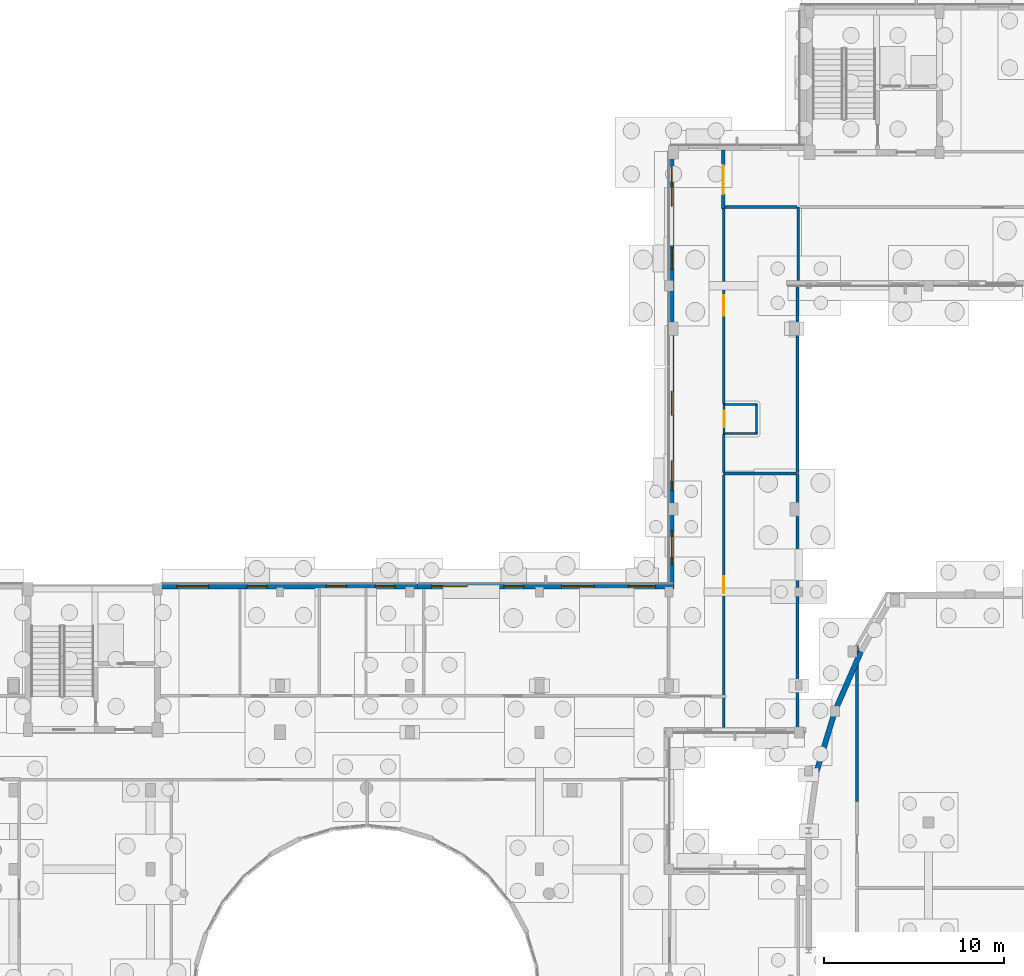
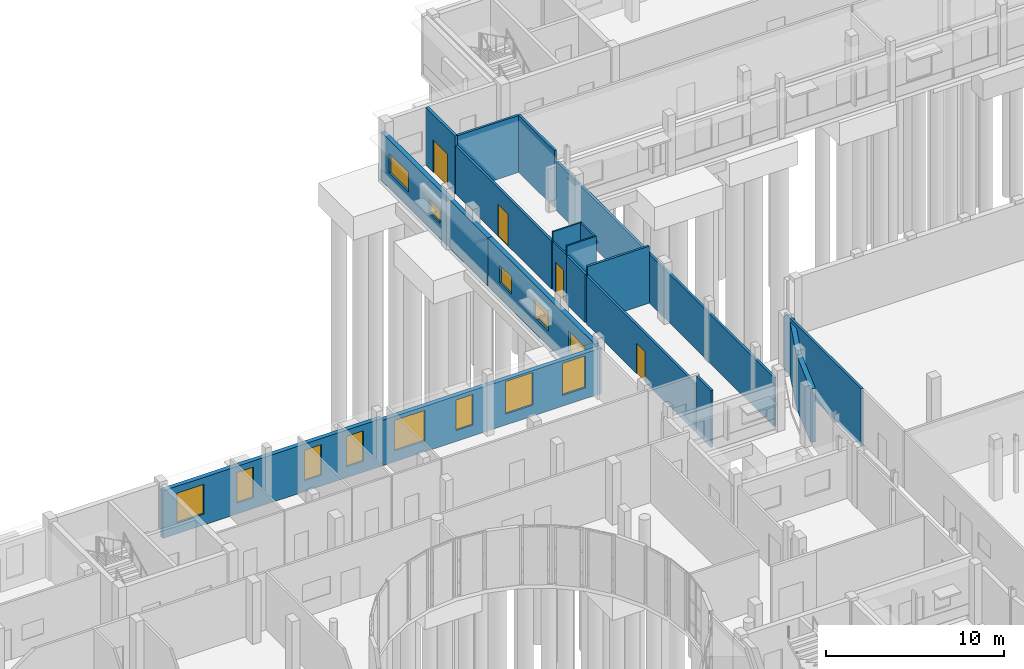
# One storey, part 74 of 93: 21 walls, 13 windows, 4 doors, 17 openings.
"""IFC4 building model written with IfcOpenShell, lengths in metres."""

from ifc_helpers import new_model, si_unit, direction, frame, frame_2d, origin, place, context, subcontext, project, spatial, rectangle, extrude, material, layer, layer_set, type_object, element, fill, save


model = new_model("IFC4")

# Units and contexts
model_context = context("Model", 3, precision=1e-05, world=origin(), true_north=direction((0.0, 1.0)))
body_context = subcontext(model_context, "Body", "Model", "MODEL_VIEW")
ifc_project = project(units=[si_unit("LENGTHUNIT", "METRE"), si_unit("AREAUNIT", "SQUARE_METRE"), si_unit("VOLUMEUNIT", "CUBIC_METRE"), si_unit("PLANEANGLEUNIT", "RADIAN"), si_unit("MASSUNIT", "GRAM", prefix="KILO")], contexts=[model_context])

# Site, building, storey
site_placement = place(None, origin())
site = spatial("IfcSite", under=ifc_project, at=site_placement, CompositionType="ELEMENT")
building_placement = place(site_placement, origin())
building = spatial("IfcBuilding", under=site, at=building_placement, Name="Kelanivale Promenade Academy", CompositionType="ELEMENT")
storey_placement = place(building_placement, origin())
storey = spatial("IfcBuildingStorey", under=building, at=storey_placement, Name="L00", CompositionType="ELEMENT", Elevation=0.0)

# Walls
ifc_material_1 = material(Name="Insulated terracotta-clad masonry wall 300 mm", Category="masonry")
ifc_layer_1 = layer(ifc_material_1, 0.300048828125)
ifc_layer_set_1 = layer_set([ifc_layer_1], Name="Insulated terracotta-clad masonry wall 300 mm")
wall_type_1 = type_object("IfcWallType", Name="EW-01 Wall 300mm", PredefinedType="SOLIDWALL", material=ifc_layer_set_1)
wall_1_placement = place(storey_placement, frame((124.800048828125, 72.77099609375, 0.0), z_axis=(0.0, 0.0, 1.0), x_axis=(-0.288887509039, -0.957363048755, 0.0)))
element("IfcWall", 1, at=wall_1_placement, inside=storey, type_object=wall_type_1, Name="Assembly Hall Arc Pavilion inner crescent wall L00", PredefinedType="SOLIDWALL", context=body_context, shape_type="SweptSolid", body=[
    extrude(rectangle(XDim=3.461669921875, YDim=0.300048828125, at=frame_2d((1.73095703125, 0.0))), origin(), (0.0, 0.0, 1.0), 3.679931640625),
])
wall_2_placement = place(storey_placement, frame((126.25, 76.0859375, 0.0), z_axis=(0.0, 0.0, 1.0), x_axis=(-0.400740958437, -0.916191401526, 0.0)))
element("IfcWall", 2, at=wall_2_placement, inside=storey, type_object=wall_type_1, Name="Assembly Hall Arc Pavilion inner crescent wall L00", PredefinedType="SOLIDWALL", context=body_context, shape_type="SweptSolid", body=[
    extrude(rectangle(XDim=3.6181640625, YDim=0.300048828125, at=frame_2d((1.80908203125, 0.0))), origin(), (0.0, 0.0, 1.0), 3.679931640625),
])

# Wall, openings, windows
ifc_material_2 = material(Name="Insulated ivory stucco masonry wall 280 mm", Category="masonry")
ifc_layer_2 = layer(ifc_material_2, 0.280029296875)
ifc_layer_set_2 = layer_set([ifc_layer_2], Name="Insulated ivory stucco masonry wall 280 mm")
wall_type_2 = type_object("IfcWallType", Name="EW-02 Wall 280mm", PredefinedType="SOLIDWALL", material=ifc_layer_set_2)
wall_3_placement = place(storey_placement, frame((115.739990234375, 103.919921875, 0.0), z_axis=(0.0, 0.0, 1.0), x_axis=(0.0, -1.0, 0.0)))
wall_3 = element("IfcWall", 3, at=wall_3_placement, inside=storey, type_object=wall_type_2, Name="L00 exterior facade wall EW-L00-ORT-0307", PredefinedType="SOLIDWALL", context=body_context, shape_type="SweptSolid", body=[
    extrude(rectangle(XDim=12.034912109375, YDim=0.280029296875, at=frame_2d((6.017578125, 0.0))), origin(), (0.0, 0.0, 1.0), 3.31494140625),
])
opening_1_placement = place(wall_3_placement, frame((0.906005859375, 0.0, 1.050048828125)))
opening_1 = element("IfcOpeningElement", 4, at=opening_1_placement, cuts=wall_3, Name="Opening WT-08", PredefinedType="OPENING", context=body_context, shape_type="SweptSolid", body=[
    extrude(rectangle(XDim=2.199951171875, YDim=1.35009765625, at=frame_2d((1.10009765625, 0.675048828125))), frame((0.0, 0.14990234375, 0.0), z_axis=(0.0, -1.0, 0.0), x_axis=(1.0, 0.0, 0.0)), (0.0, 0.0, 1.0), 0.300048828125),
])
opening_2_placement = place(wall_3_placement, frame((5.4169921875, 0.0, 1.050048828125)))
opening_2 = element("IfcOpeningElement", 5, at=opening_2_placement, cuts=wall_3, Name="Opening WT-09", PredefinedType="OPENING", context=body_context, shape_type="SweptSolid", body=[
    extrude(rectangle(XDim=1.199951171875, YDim=0.89990234375, at=frame_2d((0.60009765625, 0.449951171875))), frame((0.0, 0.14990234375, 0.0), z_axis=(0.0, -1.0, 0.0), x_axis=(1.0, 0.0, 0.0)), (0.0, 0.0, 1.0), 0.300048828125),
])
ifc_material_3 = material(Name="Bronze anodised aluminium frame with low-E laminated glass", Category="aluminium")
window_type_1 = type_object("IfcWindowType", Name="WT-08 Window 2200x1350", PartitioningType="SINGLE_PANEL", PredefinedType="WINDOW", material=ifc_material_3)
window_1_placement = place(opening_1_placement, origin())
window_1 = element("IfcWindow", 6, at=window_1_placement, inside=storey, type_object=window_type_1, Name="Window WT-08", OverallHeight=1.35009765625, OverallWidth=2.199951171875, PartitioningType="SINGLE_PANEL", PredefinedType="WINDOW", context=body_context, shape_type="SweptSolid", body=[
    extrude(rectangle(XDim=2.199951171875, YDim=1.35009765625, at=frame_2d((1.10009765625, 0.675048828125))), frame((0.0, 0.030029296875, 0.0), z_axis=(0.0, -1.0, 0.0), x_axis=(1.0, 0.0, 0.0)), (0.0, 0.0, 1.0), 0.06005859375),
])
fill(opening_1, window_1)
window_type_2 = type_object("IfcWindowType", Name="WT-09 Window 1200x900", PartitioningType="SINGLE_PANEL", PredefinedType="WINDOW", material=ifc_material_3)
window_2_placement = place(opening_2_placement, origin())
window_2 = element("IfcWindow", 7, at=window_2_placement, inside=storey, type_object=window_type_2, Name="Window WT-09", OverallHeight=0.89990234375, OverallWidth=1.199951171875, PartitioningType="SINGLE_PANEL", PredefinedType="WINDOW", context=body_context, shape_type="SweptSolid", body=[
    extrude(rectangle(XDim=1.199951171875, YDim=0.89990234375, at=frame_2d((0.60009765625, 0.449951171875))), frame((0.0, 0.030029296875, 0.0), z_axis=(0.0, -1.0, 0.0), x_axis=(1.0, 0.0, 0.0)), (0.0, 0.0, 1.0), 0.06005859375),
])
fill(opening_2, window_2)

wall_4_placement = place(storey_placement, frame((115.739990234375, 91.885009765625, 0.0), z_axis=(0.0, 0.0, 1.0), x_axis=(0.0, -1.0, 0.0)))
wall_4 = element("IfcWall", 8, at=wall_4_placement, inside=storey, type_object=wall_type_2, Name="L00 exterior facade wall EW-L00-ORT-0308", PredefinedType="SOLIDWALL", context=body_context, shape_type="SweptSolid", body=[
    extrude(rectangle(XDim=12.034912109375, YDim=0.280029296875, at=frame_2d((6.017578125, 0.0))), origin(), (0.0, 0.0, 1.0), 3.31494140625),
])
opening_3_placement = place(wall_4_placement, frame((1.3310546875, 0.0, 1.050048828125)))
opening_3 = element("IfcOpeningElement", 9, at=opening_3_placement, cuts=wall_4, Name="Opening WT-34", PredefinedType="OPENING", context=body_context, shape_type="SweptSolid", body=[
    extrude(rectangle(XDim=1.35009765625, YDim=1.199951171875, at=frame_2d((0.675048828125, 0.60009765625))), frame((0.0, 0.14990234375, 0.0), z_axis=(0.0, -1.0, 0.0), x_axis=(1.0, 0.0, 0.0)), (0.0, 0.0, 1.0), 0.300048828125),
])
opening_4_placement = place(wall_4_placement, frame((5.193115234375, 0.0, 1.050048828125)))
opening_4 = element("IfcOpeningElement", 10, at=opening_4_placement, cuts=wall_4, Name="Opening WT-35", PredefinedType="OPENING", context=body_context, shape_type="SweptSolid", body=[
    extrude(rectangle(XDim=1.64990234375, YDim=1.25, at=frame_2d((0.824951171875, 0.625))), frame((0.0, 0.14990234375, 0.0), z_axis=(0.0, -1.0, 0.0), x_axis=(1.0, 0.0, 0.0)), (0.0, 0.0, 1.0), 0.300048828125),
])
opening_5_placement = place(wall_4_placement, frame((9.10400390625, 0.0, 1.050048828125)))
opening_5 = element("IfcOpeningElement", 11, at=opening_5_placement, cuts=wall_4, Name="Opening WT-36", PredefinedType="OPENING", context=body_context, shape_type="SweptSolid", body=[
    extrude(rectangle(XDim=1.85009765625, YDim=1.39990234375, at=frame_2d((0.925048828125, 0.699951171875))), frame((0.0, 0.14990234375, 0.0), z_axis=(0.0, -1.0, 0.0), x_axis=(1.0, 0.0, 0.0)), (0.0, 0.0, 1.0), 0.300048828125),
])
window_type_3 = type_object("IfcWindowType", Name="WT-34 Window 1350x1200", PartitioningType="SINGLE_PANEL", PredefinedType="WINDOW", material=ifc_material_3)
window_3_placement = place(opening_3_placement, origin())
window_3 = element("IfcWindow", 12, at=window_3_placement, inside=storey, type_object=window_type_3, Name="Window WT-34", OverallHeight=1.199951171875, OverallWidth=1.35009765625, PartitioningType="SINGLE_PANEL", PredefinedType="WINDOW", context=body_context, shape_type="SweptSolid", body=[
    extrude(rectangle(XDim=1.35009765625, YDim=1.199951171875, at=frame_2d((0.675048828125, 0.60009765625))), frame((0.0, 0.030029296875, 0.0), z_axis=(0.0, -1.0, 0.0), x_axis=(1.0, 0.0, 0.0)), (0.0, 0.0, 1.0), 0.06005859375),
])
fill(opening_3, window_3)
window_type_4 = type_object("IfcWindowType", Name="WT-35 Window 1650x1250", PartitioningType="SINGLE_PANEL", PredefinedType="WINDOW", material=ifc_material_3)
window_4_placement = place(opening_4_placement, origin())
window_4 = element("IfcWindow", 13, at=window_4_placement, inside=storey, type_object=window_type_4, Name="Window WT-35", OverallHeight=1.25, OverallWidth=1.64990234375, PartitioningType="SINGLE_PANEL", PredefinedType="WINDOW", context=body_context, shape_type="SweptSolid", body=[
    extrude(rectangle(XDim=1.64990234375, YDim=1.25, at=frame_2d((0.824951171875, 0.625))), frame((0.0, 0.030029296875, 0.0), z_axis=(0.0, -1.0, 0.0), x_axis=(1.0, 0.0, 0.0)), (0.0, 0.0, 1.0), 0.06005859375),
])
fill(opening_4, window_4)
window_type_5 = type_object("IfcWindowType", Name="WT-36 Window 1850x1400", PartitioningType="SINGLE_PANEL", PredefinedType="WINDOW", material=ifc_material_3)
window_5_placement = place(opening_5_placement, origin())
window_5 = element("IfcWindow", 14, at=window_5_placement, inside=storey, type_object=window_type_5, Name="Window WT-36", OverallHeight=1.39990234375, OverallWidth=1.85009765625, PartitioningType="SINGLE_PANEL", PredefinedType="WINDOW", context=body_context, shape_type="SweptSolid", body=[
    extrude(rectangle(XDim=1.85009765625, YDim=1.39990234375, at=frame_2d((0.925048828125, 0.699951171875))), frame((0.0, 0.030029296875, 0.0), z_axis=(0.0, -1.0, 0.0), x_axis=(1.0, 0.0, 0.0)), (0.0, 0.0, 1.0), 0.06005859375),
])
fill(opening_5, window_5)

wall_5_placement = place(storey_placement, frame((115.8798828125, 79.7099609375, 0.0), z_axis=(0.0, 0.0, 1.0), x_axis=(-1.0, 0.0, 0.0)))
wall_5 = element("IfcWall", 15, at=wall_5_placement, inside=storey, type_object=wall_type_2, Name="L00 exterior facade wall EW-L00-ORT-0309", PredefinedType="SOLIDWALL", context=body_context, shape_type="SweptSolid", body=[
    extrude(rectangle(XDim=14.2568359375, YDim=0.280029296875, at=frame_2d((7.12841796875, 0.0))), origin(), (0.0, 0.0, 1.0), 3.125),
])
opening_6_placement = place(wall_5_placement, frame((1.031982421875, 0.0, 0.75)))
opening_6 = element("IfcOpeningElement", 16, at=opening_6_placement, cuts=wall_5, Name="Opening WT-11", PredefinedType="OPENING", context=body_context, shape_type="SweptSolid", body=[
    extrude(rectangle(XDim=1.5, YDim=2.199951171875, at=frame_2d((0.75, 1.10009765625))), frame((0.0, 0.14990234375, 0.0), z_axis=(0.0, -1.0, 0.0), x_axis=(1.0, 0.0, 0.0)), (0.0, 0.0, 1.0), 0.300048828125),
])
opening_7_placement = place(wall_5_placement, frame((4.446044921875, 0.0, 0.75)))
opening_7 = element("IfcOpeningElement", 17, at=opening_7_placement, cuts=wall_5, Name="Opening WT-12", PredefinedType="OPENING", context=body_context, shape_type="SweptSolid", body=[
    extrude(rectangle(XDim=1.800048828125, YDim=2.25, at=frame_2d((0.89990234375, 1.125))), frame((0.0, 0.14990234375, 0.0), z_axis=(0.0, -1.0, 0.0), x_axis=(1.0, 0.0, 0.0)), (0.0, 0.0, 1.0), 0.300048828125),
])
opening_8_placement = place(wall_5_placement, frame((8.361083984375, 0.0, 0.75)))
opening_8 = element("IfcOpeningElement", 18, at=opening_8_placement, cuts=wall_5, Name="Opening WT-17", PredefinedType="OPENING", context=body_context, shape_type="SweptSolid", body=[
    extrude(rectangle(XDim=1.10009765625, YDim=2.10009765625, at=frame_2d((0.550048828125, 1.050048828125))), frame((0.0, 0.14990234375, 0.0), z_axis=(0.0, -1.0, 0.0), x_axis=(1.0, 0.0, 0.0)), (0.0, 0.0, 1.0), 0.300048828125),
])
opening_9_placement = place(wall_5_placement, frame((11.47509765625, 0.0, 0.75)))
opening_9 = element("IfcOpeningElement", 19, at=opening_9_placement, cuts=wall_5, Name="Opening WT-14", PredefinedType="OPENING", context=body_context, shape_type="SweptSolid", body=[
    extrude(rectangle(XDim=2.0, YDim=2.10009765625, at=frame_2d((1.0, 1.050048828125))), frame((0.0, 0.14990234375, 0.0), z_axis=(0.0, -1.0, 0.0), x_axis=(1.0, 0.0, 0.0)), (0.0, 0.0, 1.0), 0.300048828125),
])
window_type_6 = type_object("IfcWindowType", Name="WT-11 Window 1500x2200", PartitioningType="SINGLE_PANEL", PredefinedType="WINDOW", material=ifc_material_3)
window_6_placement = place(opening_6_placement, origin())
window_6 = element("IfcWindow", 20, at=window_6_placement, inside=storey, type_object=window_type_6, Name="Window WT-11", OverallHeight=2.199951171875, OverallWidth=1.5, PartitioningType="SINGLE_PANEL", PredefinedType="WINDOW", context=body_context, shape_type="SweptSolid", body=[
    extrude(rectangle(XDim=1.5, YDim=2.199951171875, at=frame_2d((0.75, 1.10009765625))), frame((0.0, 0.030029296875, 0.0), z_axis=(0.0, -1.0, 0.0), x_axis=(1.0, 0.0, 0.0)), (0.0, 0.0, 1.0), 0.06005859375),
])
fill(opening_6, window_6)
window_type_7 = type_object("IfcWindowType", Name="WT-12 Window 1800x2250", PartitioningType="SINGLE_PANEL", PredefinedType="WINDOW", material=ifc_material_3)
window_7_placement = place(opening_7_placement, origin())
window_7 = element("IfcWindow", 21, at=window_7_placement, inside=storey, type_object=window_type_7, Name="Window WT-12", OverallHeight=2.25, OverallWidth=1.800048828125, PartitioningType="SINGLE_PANEL", PredefinedType="WINDOW", context=body_context, shape_type="SweptSolid", body=[
    extrude(rectangle(XDim=1.800048828125, YDim=2.25, at=frame_2d((0.89990234375, 1.125))), frame((0.0, 0.030029296875, 0.0), z_axis=(0.0, -1.0, 0.0), x_axis=(1.0, 0.0, 0.0)), (0.0, 0.0, 1.0), 0.06005859375),
])
fill(opening_7, window_7)
window_type_8 = type_object("IfcWindowType", Name="WT-14 Window 2000x2100", PartitioningType="SINGLE_PANEL", PredefinedType="WINDOW", material=ifc_material_3)
window_8_placement = place(opening_9_placement, origin())
window_8 = element("IfcWindow", 22, at=window_8_placement, inside=storey, type_object=window_type_8, Name="Window WT-14", OverallHeight=2.10009765625, OverallWidth=2.0, PartitioningType="SINGLE_PANEL", PredefinedType="WINDOW", context=body_context, shape_type="SweptSolid", body=[
    extrude(rectangle(XDim=2.0, YDim=2.10009765625, at=frame_2d((1.0, 1.050048828125))), frame((0.0, 0.030029296875, 0.0), z_axis=(0.0, -1.0, 0.0), x_axis=(1.0, 0.0, 0.0)), (0.0, 0.0, 1.0), 0.06005859375),
])
fill(opening_9, window_8)
window_type_9 = type_object("IfcWindowType", Name="WT-17 Window 1100x2100", PartitioningType="SINGLE_PANEL", PredefinedType="WINDOW", material=ifc_material_3)
window_9_placement = place(opening_8_placement, origin())
window_9 = element("IfcWindow", 23, at=window_9_placement, inside=storey, type_object=window_type_9, Name="Window WT-17", OverallHeight=2.10009765625, OverallWidth=1.10009765625, PartitioningType="SINGLE_PANEL", PredefinedType="WINDOW", context=body_context, shape_type="SweptSolid", body=[
    extrude(rectangle(XDim=1.10009765625, YDim=2.10009765625, at=frame_2d((0.550048828125, 1.050048828125))), frame((0.0, 0.030029296875, 0.0), z_axis=(0.0, -1.0, 0.0), x_axis=(1.0, 0.0, 0.0)), (0.0, 0.0, 1.0), 0.06005859375),
])
fill(opening_8, window_9)

wall_6_placement = place(storey_placement, frame((101.623046875, 79.7099609375, 0.0), z_axis=(0.0, 0.0, 1.0), x_axis=(-1.0, 0.0, 0.0)))
wall_6 = element("IfcWall", 24, at=wall_6_placement, inside=storey, type_object=wall_type_2, Name="L00 exterior facade wall EW-L00-ORT-0310", PredefinedType="SOLIDWALL", context=body_context, shape_type="SweptSolid", body=[
    extrude(rectangle(XDim=14.258056640625, YDim=0.280029296875, at=frame_2d((7.12890625, 0.0))), origin(), (0.0, 0.0, 1.0), 3.27490234375),
])
opening_10_placement = place(wall_6_placement, frame((1.23193359375, 0.0, 0.75)))
opening_10 = element("IfcOpeningElement", 25, at=opening_10_placement, cuts=wall_6, Name="Opening WT-17", PredefinedType="OPENING", context=body_context, shape_type="SweptSolid", body=[
    extrude(rectangle(XDim=1.10009765625, YDim=2.10009765625, at=frame_2d((0.550048828125, 1.050048828125))), frame((0.0, 0.14990234375, 0.0), z_axis=(0.0, -1.0, 0.0), x_axis=(1.0, 0.0, 0.0)), (0.0, 0.0, 1.0), 0.300048828125),
])
opening_11_placement = place(wall_6_placement, frame((3.947021484375, 0.0, 0.75)))
opening_11 = element("IfcOpeningElement", 26, at=opening_11_placement, cuts=wall_6, Name="Opening WT-17", PredefinedType="OPENING", context=body_context, shape_type="SweptSolid", body=[
    extrude(rectangle(XDim=1.10009765625, YDim=2.10009765625, at=frame_2d((0.550048828125, 1.050048828125))), frame((0.0, 0.14990234375, 0.0), z_axis=(0.0, -1.0, 0.0), x_axis=(1.0, 0.0, 0.0)), (0.0, 0.0, 1.0), 0.300048828125),
])
opening_12_placement = place(wall_6_placement, frame((8.361083984375, 0.0, 0.75)))
opening_12 = element("IfcOpeningElement", 27, at=opening_12_placement, cuts=wall_6, Name="Opening WT-17", PredefinedType="OPENING", context=body_context, shape_type="SweptSolid", body=[
    extrude(rectangle(XDim=1.10009765625, YDim=2.10009765625, at=frame_2d((0.550048828125, 1.050048828125))), frame((0.0, 0.14990234375, 0.0), z_axis=(0.0, -1.0, 0.0), x_axis=(1.0, 0.0, 0.0)), (0.0, 0.0, 1.0), 0.300048828125),
])
opening_13_placement = place(wall_6_placement, frame((11.60107421875, 0.0, 0.75)))
opening_13 = element("IfcOpeningElement", 28, at=opening_13_placement, cuts=wall_6, Name="Opening WT-32", PredefinedType="OPENING", context=body_context, shape_type="SweptSolid", body=[
    extrude(rectangle(XDim=1.75, YDim=2.050048828125, at=frame_2d((0.875, 1.02490234375))), frame((0.0, 0.14990234375, 0.0), z_axis=(0.0, -1.0, 0.0), x_axis=(1.0, 0.0, 0.0)), (0.0, 0.0, 1.0), 0.300048828125),
])
window_10_placement = place(opening_10_placement, origin())
window_10 = element("IfcWindow", 29, at=window_10_placement, inside=storey, type_object=window_type_9, Name="Window WT-17", OverallHeight=2.10009765625, OverallWidth=1.10009765625, PartitioningType="SINGLE_PANEL", PredefinedType="WINDOW", context=body_context, shape_type="SweptSolid", body=[
    extrude(rectangle(XDim=1.10009765625, YDim=2.10009765625, at=frame_2d((0.550048828125, 1.050048828125))), frame((0.0, 0.030029296875, 0.0), z_axis=(0.0, -1.0, 0.0), x_axis=(1.0, 0.0, 0.0)), (0.0, 0.0, 1.0), 0.06005859375),
])
fill(opening_10, window_10)
window_11_placement = place(opening_11_placement, origin())
window_11 = element("IfcWindow", 30, at=window_11_placement, inside=storey, type_object=window_type_9, Name="Window WT-17", OverallHeight=2.10009765625, OverallWidth=1.10009765625, PartitioningType="SINGLE_PANEL", PredefinedType="WINDOW", context=body_context, shape_type="SweptSolid", body=[
    extrude(rectangle(XDim=1.10009765625, YDim=2.10009765625, at=frame_2d((0.550048828125, 1.050048828125))), frame((0.0, 0.030029296875, 0.0), z_axis=(0.0, -1.0, 0.0), x_axis=(1.0, 0.0, 0.0)), (0.0, 0.0, 1.0), 0.06005859375),
])
fill(opening_11, window_11)
window_12_placement = place(opening_12_placement, origin())
window_12 = element("IfcWindow", 31, at=window_12_placement, inside=storey, type_object=window_type_9, Name="Window WT-17", OverallHeight=2.10009765625, OverallWidth=1.10009765625, PartitioningType="SINGLE_PANEL", PredefinedType="WINDOW", context=body_context, shape_type="SweptSolid", body=[
    extrude(rectangle(XDim=1.10009765625, YDim=2.10009765625, at=frame_2d((0.550048828125, 1.050048828125))), frame((0.0, 0.030029296875, 0.0), z_axis=(0.0, -1.0, 0.0), x_axis=(1.0, 0.0, 0.0)), (0.0, 0.0, 1.0), 0.06005859375),
])
fill(opening_12, window_12)
window_type_10 = type_object("IfcWindowType", Name="WT-32 Window 1750x2050", PartitioningType="SINGLE_PANEL", PredefinedType="WINDOW", material=ifc_material_3)
window_13_placement = place(opening_13_placement, origin())
window_13 = element("IfcWindow", 32, at=window_13_placement, inside=storey, type_object=window_type_10, Name="Window WT-32", OverallHeight=2.050048828125, OverallWidth=1.75, PartitioningType="SINGLE_PANEL", PredefinedType="WINDOW", context=body_context, shape_type="SweptSolid", body=[
    extrude(rectangle(XDim=1.75, YDim=2.050048828125, at=frame_2d((0.875, 1.02490234375))), frame((0.0, 0.030029296875, 0.0), z_axis=(0.0, -1.0, 0.0), x_axis=(1.0, 0.0, 0.0)), (0.0, 0.0, 1.0), 0.06005859375),
])
fill(opening_13, window_13)

# Wall, opening, door
ifc_material_4 = material(Name="Autoclaved masonry blockwork 180 mm", Category="masonry")
ifc_layer_3 = layer(ifc_material_4, 0.179931640625)
ifc_layer_set_3 = layer_set([ifc_layer_3], Name="Autoclaved masonry blockwork 180 mm")
wall_type_3 = type_object("IfcWallType", Name="IW-02 Wall 180mm", PredefinedType="PARTITIONING", material=ifc_layer_set_3)
wall_7_placement = place(storey_placement, frame((118.60009765625, 100.64990234375, 0.0), z_axis=(0.0, 0.0, 1.0), x_axis=(0.0, 1.0, 0.0)))
wall_7 = element("IfcWall", 33, at=wall_7_placement, inside=storey, type_object=wall_type_3, Name="L00 cross-corridor fire wall", PredefinedType="PARTITIONING", context=body_context, shape_type="SweptSolid", body=[
    extrude(rectangle(XDim=3.272216796875, YDim=0.179931640625, at=frame_2d((1.63623046875, 0.0))), origin(), (0.0, 0.0, 1.0), 3.97998046875),
])
opening_14_placement = place(wall_7_placement, frame((0.8359375, 0.0, 0.0)))
opening_14 = element("IfcOpeningElement", 34, at=opening_14_placement, cuts=wall_7, Name="Opening FD-L00-CC-009", PredefinedType="OPENING", context=body_context, shape_type="SweptSolid", body=[
    extrude(rectangle(XDim=1.60009765625, YDim=2.25, at=frame_2d((0.800048828125, 1.125))), frame((0.0, 0.10009765625, 0.0), z_axis=(0.0, -1.0, 0.0), x_axis=(1.0, 0.0, 0.0)), (0.0, 0.0, 1.0), 0.199951171875),
])
ifc_material_5 = material(Name="Fire-rated steel-core teak veneer", Category="steel")
door_type_1 = type_object("IfcDoorType", Name="DT-F09 Door 1600x2250", OperationType="NOTDEFINED", PredefinedType="DOOR", material=ifc_material_5)
door_1_placement = place(opening_14_placement, origin())
door_1 = element("IfcDoor", 35, at=door_1_placement, inside=storey, type_object=door_type_1, Name="L00 cross-corridor fire door FD-L00-CC-009", OperationType="DOUBLE_DOOR_SINGLE_SWING", OverallHeight=2.25, OverallWidth=1.60009765625, PredefinedType="DOOR", context=body_context, shape_type="SweptSolid", body=[
    extrude(rectangle(XDim=1.60009765625, YDim=2.25, at=frame_2d((0.800048828125, 1.125))), frame((0.0, 0.02490234375, 0.0), z_axis=(0.0, -1.0, 0.0), x_axis=(1.0, 0.0, 0.0)), (0.0, 0.0, 1.0), 0.050048828125),
])
fill(opening_14, door_1)

# Walls
ifc_material_6 = material(Name="Acoustic gypsum-lined masonry partition 150 mm", Category="masonry")
ifc_layer_4 = layer(ifc_material_6, 0.14990234375)
ifc_layer_set_4 = layer_set([ifc_layer_4], Name="Acoustic gypsum-lined masonry partition 150 mm")
wall_type_4 = type_object("IfcWallType", Name="IW-03 Wall 150mm", PredefinedType="PARTITIONING", material=ifc_layer_set_4)
wall_8_placement = place(storey_placement, frame((126.030029296875, 76.43408203125, 0.0), z_axis=(0.0, 0.0, 1.0), x_axis=(0.0, -1.0, 0.0)))
element("IfcWall", 36, at=wall_8_placement, inside=storey, type_object=wall_type_4, Name="L00 partition Orchestra Instrument Store", PredefinedType="PARTITIONING", context=body_context, shape_type="SweptSolid", body=[
    extrude(rectangle(XDim=8.6640625, YDim=0.14990234375, at=frame_2d((4.33203125, 0.0))), origin(), (0.0, 0.0, 1.0), 3.929931640625),
])
wall_9_placement = place(storey_placement, frame((122.72998046875, 71.8779296875, 0.0), z_axis=(0.0, 0.0, 1.0), x_axis=(0.0, 1.0, 0.0)))
element("IfcWall", 37, at=wall_9_placement, inside=storey, type_object=wall_type_4, Name="L00 partition Specimen Prep Room", PredefinedType="PARTITIONING", context=body_context, shape_type="SweptSolid", body=[
    extrude(rectangle(XDim=14.092041015625, YDim=0.14990234375, at=frame_2d((7.0458984375, 0.0))), origin(), (0.0, 0.0, 1.0), 3.364990234375),
])
wall_10_placement = place(storey_placement, frame((122.656982421875, 85.969970703125, 0.0), z_axis=(0.0, 0.0, 1.0), x_axis=(-1.0, 0.0, 0.0)))
element("IfcWall", 38, at=wall_10_placement, inside=storey, type_object=wall_type_4, Name="L00 partition Specimen Prep Room", PredefinedType="PARTITIONING", context=body_context, shape_type="SweptSolid", body=[
    extrude(rectangle(XDim=4.027099609375, YDim=0.14990234375, at=frame_2d((2.013671875, 0.0))), origin(), (0.0, 0.0, 1.0), 3.9150390625),
])

# Wall, opening, door
wall_11_placement = place(storey_placement, frame((118.6298828125, 85.89697265625, 0.0), z_axis=(0.0, 0.0, 1.0), x_axis=(0.0, -1.0, 0.0)))
wall_11 = element("IfcWall", 39, at=wall_11_placement, inside=storey, type_object=wall_type_4, Name="L00 partition Specimen Prep Room", PredefinedType="PARTITIONING", context=body_context, shape_type="SweptSolid", body=[
    extrude(rectangle(XDim=12.208984375, YDim=0.14990234375, at=frame_2d((6.1044921875, 0.0))), origin(), (0.0, 0.0, 1.0), 3.31494140625),
])
opening_15_placement = place(wall_11_placement, frame((5.6298828125, 0.0, 0.0)))
opening_15 = element("IfcOpeningElement", 40, at=opening_15_placement, cuts=wall_11, Name="Opening ID-L00-051", PredefinedType="OPENING", context=body_context, shape_type="SweptSolid", body=[
    extrude(rectangle(XDim=0.949951171875, YDim=2.10009765625, at=frame_2d((0.47509765625, 1.050048828125))), frame((0.0, 0.0849609375, 0.0), z_axis=(0.0, -1.0, 0.0), x_axis=(1.0, 0.0, 0.0)), (0.0, 0.0, 1.0), 0.169921875),
])
door_type_2 = type_object("IfcDoorType", Name="DT-F07 Door 950x2100", OperationType="NOTDEFINED", PredefinedType="DOOR", material=ifc_material_5)
door_2_placement = place(opening_15_placement, origin())
door_2 = element("IfcDoor", 41, at=door_2_placement, inside=storey, type_object=door_type_2, Name="Specimen Prep Room door ID-L00-051", OperationType="SINGLE_SWING_RIGHT", OverallHeight=2.10009765625, OverallWidth=0.949951171875, PredefinedType="DOOR", context=body_context, shape_type="SweptSolid", body=[
    extrude(rectangle(XDim=0.949951171875, YDim=2.10009765625, at=frame_2d((0.47509765625, 1.050048828125))), frame((0.0, 0.02490234375, 0.0), z_axis=(0.0, -1.0, 0.0), x_axis=(1.0, 0.0, 0.0)), (0.0, 0.0, 1.0), 0.050048828125),
])
fill(opening_15, door_2)

# Walls
wall_12_placement = place(storey_placement, frame((118.6298828125, 73.511962890625, 0.0), z_axis=(0.0, 0.0, 1.0), x_axis=(0.0, -1.0, 0.0)))
element("IfcWall", 42, at=wall_12_placement, inside=storey, type_object=wall_type_4, Name="L00 partition Specimen Prep Room", PredefinedType="PARTITIONING", context=body_context, shape_type="SweptSolid", body=[
    extrude(rectangle(XDim=1.634033203125, YDim=0.14990234375, at=frame_2d((0.81689453125, 0.0))), origin(), (0.0, 0.0, 1.0), 3.9150390625),
])
wall_13_placement = place(storey_placement, frame((122.77001953125, 96.677978515625, 0.0), z_axis=(0.0, 0.0, 1.0), x_axis=(0.0, 1.0, 0.0)))
element("IfcWall", 43, at=wall_13_placement, inside=storey, type_object=wall_type_4, Name="L00 partition Laboratory Instrument Studio", PredefinedType="PARTITIONING", context=body_context, shape_type="SweptSolid", body=[
    extrude(rectangle(XDim=4.092041015625, YDim=0.14990234375, at=frame_2d((2.0458984375, 0.0))), origin(), (0.0, 0.0, 1.0), 3.9150390625),
])
wall_14_placement = place(storey_placement, frame((122.697021484375, 100.77001953125, 0.0), z_axis=(0.0, 0.0, 1.0), x_axis=(-1.0, 0.0, 0.0)))
element("IfcWall", 44, at=wall_14_placement, inside=storey, type_object=wall_type_4, Name="L00 partition Laboratory Instrument Studio", PredefinedType="PARTITIONING", context=body_context, shape_type="SweptSolid", body=[
    extrude(rectangle(XDim=4.009033203125, YDim=0.14990234375, at=frame_2d((2.00439453125, 0.0))), origin(), (0.0, 0.0, 1.0), 3.9150390625),
])

# Wall, opening, door
wall_15_placement = place(storey_placement, frame((118.6298828125, 100.77001953125, 0.0), z_axis=(0.0, 0.0, 1.0), x_axis=(0.0, -1.0, 0.0)))
wall_15 = element("IfcWall", 45, at=wall_15_placement, inside=storey, type_object=wall_type_4, Name="L00 partition Laboratory Instrument Studio", PredefinedType="PARTITIONING", context=body_context, shape_type="SweptSolid", body=[
    extrude(rectangle(XDim=10.922119140625, YDim=0.14990234375, at=frame_2d((5.4609375, 0.0))), origin(), (0.0, 0.0, 1.0), 3.31494140625),
])
opening_16_placement = place(wall_15_placement, frame((4.885986328125, 0.0, 0.0)))
opening_16 = element("IfcOpeningElement", 46, at=opening_16_placement, cuts=wall_15, Name="Opening ID-L00-052", PredefinedType="OPENING", context=body_context, shape_type="SweptSolid", body=[
    extrude(rectangle(XDim=1.14990234375, YDim=2.199951171875, at=frame_2d((0.574951171875, 1.10009765625))), frame((0.0, 0.0849609375, 0.0), z_axis=(0.0, -1.0, 0.0), x_axis=(1.0, 0.0, 0.0)), (0.0, 0.0, 1.0), 0.169921875),
])
door_type_3 = type_object("IfcDoorType", Name="DT-F06 Door 1150x2200", OperationType="NOTDEFINED", PredefinedType="DOOR", material=ifc_material_5)
door_3_placement = place(opening_16_placement, origin())
door_3 = element("IfcDoor", 47, at=door_3_placement, inside=storey, type_object=door_type_3, Name="Laboratory Instrument Studio door ID-L00-052", OperationType="SINGLE_SWING_LEFT", OverallHeight=2.199951171875, OverallWidth=1.14990234375, PredefinedType="DOOR", context=body_context, shape_type="SweptSolid", body=[
    extrude(rectangle(XDim=1.14990234375, YDim=2.199951171875, at=frame_2d((0.574951171875, 1.10009765625))), frame((0.0, 0.02490234375, 0.0), z_axis=(0.0, -1.0, 0.0), x_axis=(1.0, 0.0, 0.0)), (0.0, 0.0, 1.0), 0.050048828125),
])
fill(opening_16, door_3)

# Walls
wall_16_placement = place(storey_placement, frame((118.6298828125, 88.152099609375, 0.0), z_axis=(0.0, 0.0, 1.0), x_axis=(0.0, -1.0, 0.0)))
element("IfcWall", 48, at=wall_16_placement, inside=storey, type_object=wall_type_4, Name="L00 partition Laboratory Instrument Studio", PredefinedType="PARTITIONING", context=body_context, shape_type="SweptSolid", body=[
    extrude(rectangle(XDim=2.109130859375, YDim=0.14990234375, at=frame_2d((1.0546875, 0.0))), origin(), (0.0, 0.0, 1.0), 3.31494140625),
])
wall_17_placement = place(storey_placement, frame((122.72998046875, 86.030029296875, 0.0), z_axis=(0.0, 0.0, 1.0), x_axis=(0.0, 1.0, 0.0)))
element("IfcWall", 49, at=wall_17_placement, inside=storey, type_object=wall_type_4, Name="L00 partition Laboratory Instrument Studio", PredefinedType="PARTITIONING", context=body_context, shape_type="SweptSolid", body=[
    extrude(rectangle(XDim=10.3720703125, YDim=0.14990234375, at=frame_2d((5.18603515625, 0.0))), origin(), (0.0, 0.0, 1.0), 3.364990234375),
])

# Wall, opening, door
ifc_material_7 = material(Name="Fire-rated service riser shaft wall 100 mm", Category="masonry")
ifc_layer_5 = layer(ifc_material_7, 0.10009765625)
ifc_layer_set_5 = layer_set([ifc_layer_5], Name="Fire-rated service riser shaft wall 100 mm")
wall_type_5 = type_object("IfcWallType", Name="IW-07 Wall 100mm", PredefinedType="PARTITIONING", material=ifc_layer_set_5)
wall_18_placement = place(storey_placement, frame((118.64990234375, 88.199951171875, 0.0), z_axis=(0.0, 0.0, 1.0), x_axis=(0.0, 1.0, 0.0)))
wall_18 = element("IfcWall", 50, at=wall_18_placement, inside=storey, type_object=wall_type_5, Name="L00 service riser west access wall", PredefinedType="PARTITIONING", context=body_context, shape_type="SweptSolid", body=[
    extrude(rectangle(XDim=1.60009765625, YDim=0.10009765625, at=frame_2d((0.800048828125, 0.0))), origin(), (0.0, 0.0, 1.0), 3.31494140625),
])
opening_17_placement = place(wall_18_placement, frame((0.35009765625, 0.0, 0.0)))
opening_17 = element("IfcOpeningElement", 51, at=opening_17_placement, cuts=wall_18, Name="Opening RD-L00-01", PredefinedType="OPENING", context=body_context, shape_type="SweptSolid", body=[
    extrude(rectangle(XDim=0.89990234375, YDim=2.050048828125, at=frame_2d((0.449951171875, 1.02490234375))), frame((0.0, 0.06005859375, 0.0), z_axis=(0.0, -1.0, 0.0), x_axis=(1.0, 0.0, 0.0)), (0.0, 0.0, 1.0), 0.1201171875),
])
door_type_4 = type_object("IfcDoorType", Name="DT-F11 Door 900x2050", OperationType="NOTDEFINED", PredefinedType="USERDEFINED", material=ifc_material_5)
door_4_placement = place(opening_17_placement, frame((0.89990234375, 0.0, 0.0), z_axis=(0.0, 0.0, 1.0), x_axis=(-1.0, 0.0, 0.0)))
door_4 = element("IfcDoor", 52, at=door_4_placement, inside=storey, type_object=door_type_4, Name="L00 service riser fire access panel RD-L00-01", ObjectType="ACCESS PANEL", OperationType="SINGLE_SWING_LEFT", OverallHeight=2.050048828125, OverallWidth=0.89990234375, PredefinedType="USERDEFINED", context=body_context, shape_type="SweptSolid", body=[
    extrude(rectangle(XDim=0.89990234375, YDim=2.050048828125, at=frame_2d((0.449951171875, 1.02490234375))), frame((0.0, 0.02490234375, 0.0), z_axis=(0.0, -1.0, 0.0), x_axis=(1.0, 0.0, 0.0)), (0.0, 0.0, 1.0), 0.050048828125),
])
fill(opening_17, door_4)

# Walls
for number, where, z_axis, x_axis, name in (
    (53, (118.60009765625, 88.199951171875, 0.0), (0.0, 0.0, 1.0), (1.0, 0.0, 0.0), "L00 service riser south enclosure wall"),
    (54, (118.60009765625, 89.800048828125, 0.0), (0.0, 0.0, 1.0), (1.0, 0.0, 0.0), "L00 service riser north enclosure wall"),
):
    element("IfcWall", number, at=place(storey_placement, frame(where, z_axis=z_axis, x_axis=x_axis)), inside=storey, type_object=wall_type_5, Name=name, PredefinedType="PARTITIONING", context=body_context, shape_type="SweptSolid", body=[
        extrude(rectangle(XDim=1.89990234375, YDim=0.10009765625, at=frame_2d((0.949951171875, 0.0))), origin(), (0.0, 0.0, 1.0), 3.97998046875),
    ])
wall_19_placement = place(storey_placement, frame((120.449951171875, 88.25, 0.0), z_axis=(0.0, 0.0, 1.0), x_axis=(0.0, 1.0, 0.0)))
element("IfcWall", 55, at=wall_19_placement, inside=storey, type_object=wall_type_5, Name="L00 service riser east enclosure wall", PredefinedType="PARTITIONING", context=body_context, shape_type="SweptSolid", body=[
    extrude(rectangle(XDim=1.5, YDim=0.10009765625, at=frame_2d((0.75, 0.0))), origin(), (0.0, 0.0, 1.0), 3.97998046875),
])

save(model, "model.ifc")
